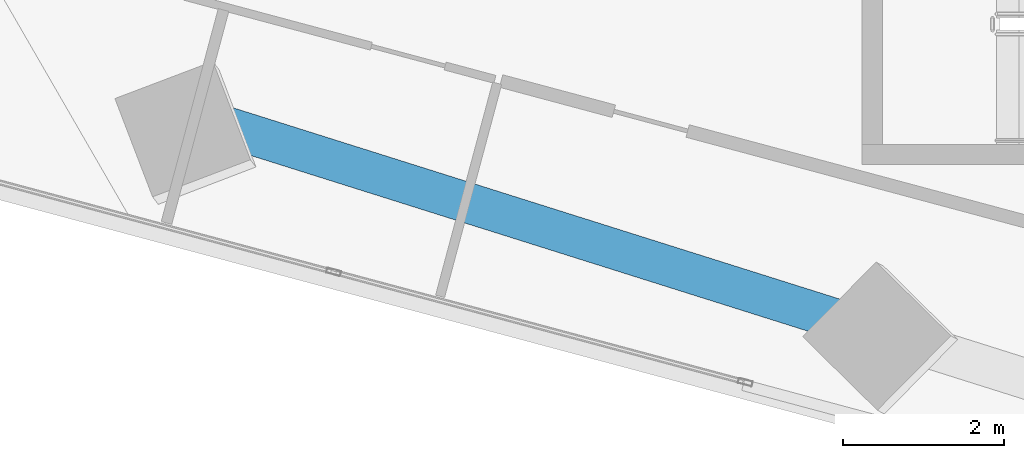
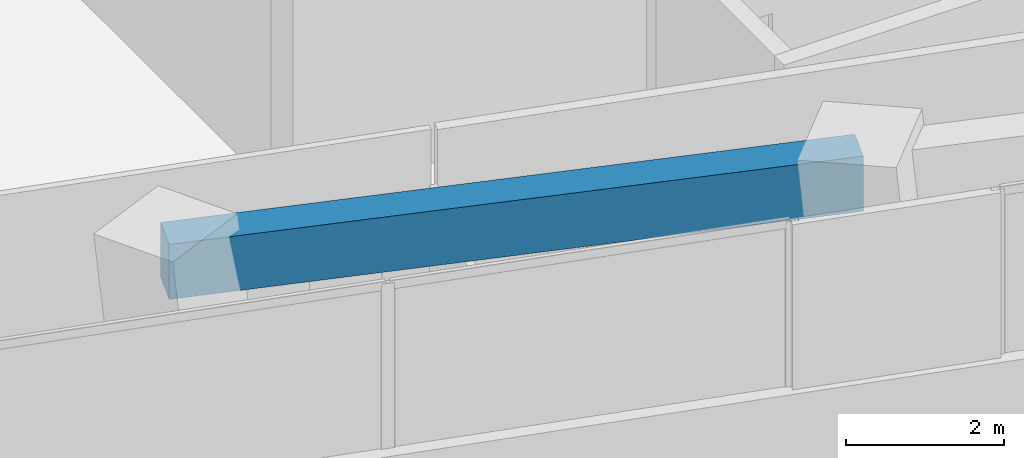
# One storey, part 4 of 27: 1 beam.
"""IFC4 building model written with IfcOpenShell, lengths in metres."""

from ifc_helpers import new_model, si_unit, direction, frame, origin, origin_2d, place, context, subcontext, project, spatial, rectangle, extrude, source, transform, mapped, material, material_profile, profile_set, type_object, element, save


model = new_model("IFC4")

# Units and contexts
model_context = context("Model", 3, precision=1e-05, world=origin(), true_north=direction((0.0, 1.0)))
body_context = subcontext(model_context, "Body", "Model", "MODEL_VIEW")
ifc_project = project(units=[si_unit("LENGTHUNIT", "METRE"), si_unit("AREAUNIT", "SQUARE_METRE"), si_unit("VOLUMEUNIT", "CUBIC_METRE"), si_unit("PLANEANGLEUNIT", "RADIAN"), si_unit("MASSUNIT", "GRAM", prefix="KILO")], contexts=[model_context])

# Site, building, storey
site_placement = place(None, origin())
site = spatial("IfcSite", under=ifc_project, at=site_placement, CompositionType="ELEMENT")
building_placement = place(site_placement, origin())
building = spatial("IfcBuilding", under=site, at=building_placement, Name="Torre Montelarca", CompositionType="ELEMENT")
storey_placement = place(building_placement, frame((0.0, 0.0, 108.39990234375)))
storey = spatial("IfcBuildingStorey", under=building, at=storey_placement, Name="L24", CompositionType="ELEMENT", Elevation=108.39990234375)

# Beam
ifc_material = material(Name="Concrete C55/67", Category="concrete")
ifc_material_profile = material_profile(ifc_material, rectangle(XDim=0.5, YDim=0.85009765625, at=origin_2d()), Name="RCB500X850", Category="concrete")
ifc_profile_set = profile_set([ifc_material_profile], Name="Concrete C55/67")
beam_type = type_object("IfcBeamType", Name="BM-SP-RC850-EXT", PredefinedType="SPANDREL", material=ifc_profile_set)
shared_shape = source(origin(), body_context, "Body", "SweptSolid", [
    extrude(rectangle(XDim=0.5, YDim=0.85009765625, at=origin_2d()), origin(), (0.0, 0.0, 1.0), 9.0),
])
beam_placement = place(storey_placement, frame((4.406494140625, 19.35498046875, 3.53515625), z_axis=(0.953711309007, -0.300723692236, 0.0), x_axis=(0.300723692236, 0.953711309007, 0.0)))
element("IfcBeam", 1, at=beam_placement, inside=storey, type_object=beam_type, Name="L24 Grid Girder X 9.0-18.0 at Y=14.8", PredefinedType="SPANDREL", context=body_context, shape_type="MappedRepresentation", body=[
    mapped(shared_shape, transform((0.0, 0.0, 0.0), scale=1.0)),
])

save(model, "model.ifc")
